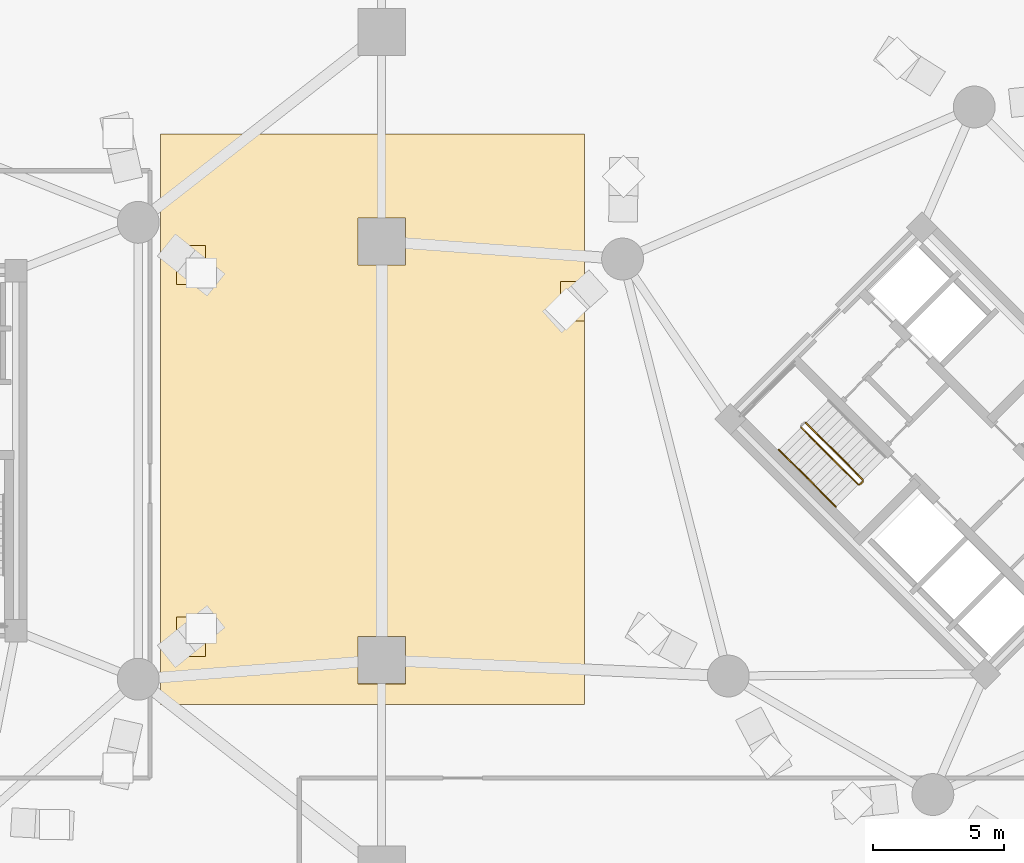
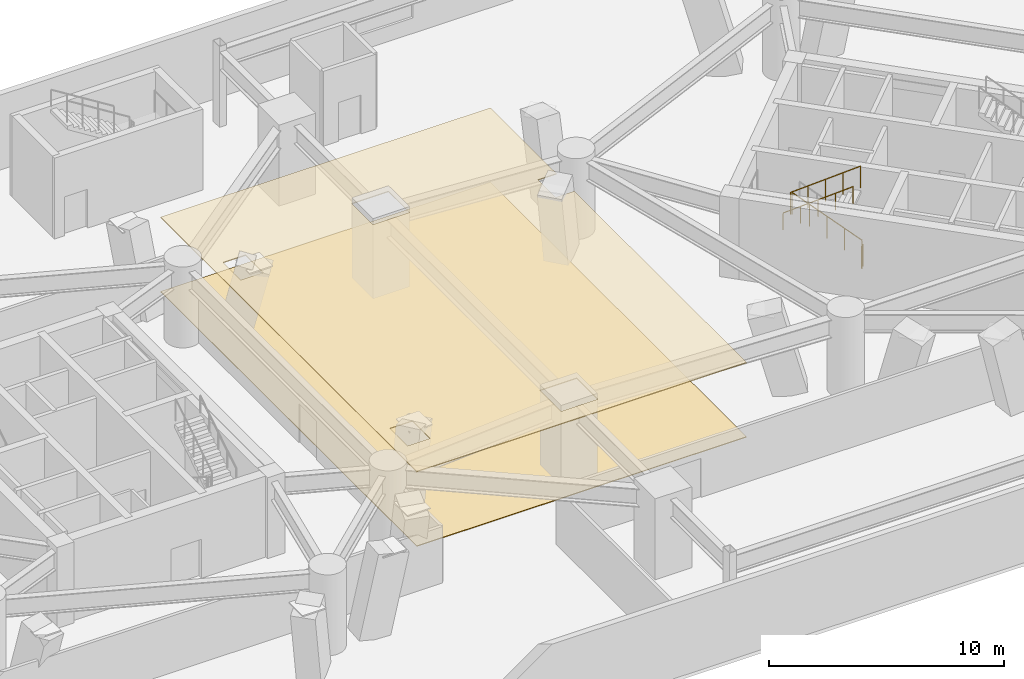
# One storey, part 17 of 20: 4 railings, 2 coverings.
"""IFC4 building model written with IfcOpenShell, lengths in metres."""

from ifc_helpers import new_model, si_unit, direction, frame, origin, origin_2d, place, context, subcontext, project, spatial, polyline, circle, outline, extrude, material, layer, layer_set, type_object, element, save


model = new_model("IFC4")

# Units and contexts
model_context = context("Model", 3, precision=1e-05, world=origin(), true_north=direction((0.0, 1.0)))
body_context = subcontext(model_context, "Body", "Model", "MODEL_VIEW")
ifc_project = project(units=[si_unit("LENGTHUNIT", "METRE"), si_unit("AREAUNIT", "SQUARE_METRE"), si_unit("VOLUMEUNIT", "CUBIC_METRE"), si_unit("PLANEANGLEUNIT", "RADIAN"), si_unit("MASSUNIT", "GRAM", prefix="KILO")], contexts=[model_context])

# Site, building, storey
site_placement = place(None, origin())
site = spatial("IfcSite", under=ifc_project, at=site_placement, CompositionType="ELEMENT")
building_placement = place(site_placement, origin())
building = spatial("IfcBuilding", under=site, at=building_placement, Name="Cununo Teusaquillo Station Towers", CompositionType="ELEMENT")
storey_placement = place(building_placement, frame((0.0, 0.0, 9.0)))
storey = spatial("IfcBuildingStorey", under=building, at=storey_placement, Name="L02", CompositionType="ELEMENT", Elevation=9.0)

# Coverings
ifc_material_1 = material(Name="Mineral-fibre acoustic suspended ceiling tile", Category="finish")
ifc_layer_1 = layer(ifc_material_1, 0.044921875)
ifc_layer_set_1 = layer_set([ifc_layer_1], Name="Mineral-fibre acoustic suspended ceiling tile")
covering_type_1 = type_object("IfcCoveringType", Name="COV-CEIL-600", PredefinedType="CEILING", material=ifc_layer_set_1)
covering_1_placement = place(storey_placement, frame((0.0, 0.0, 3.85498046875)))
element("IfcCovering", 1, at=covering_1_placement, inside=storey, type_object=covering_type_1, Name="L02 Suspended Acoustic Ceiling", PredefinedType="CEILING", context=body_context, shape_type="SweptSolid", body=[
    extrude(outline(polyline([(43.39990234375, 14.800048828125), (27.199951171875, 14.800048828125), (27.199951171875, 36.60009765625), (43.39990234375, 36.60009765625), (43.39990234375, 30.96337890625), (42.489990234375, 30.96337890625), (42.489990234375, 29.455322265625), (43.39990234375, 29.455322265625), (43.39990234375, 14.800048828125)]), holes=[polyline([(34.74609375, 15.595947265625), (36.553955078125, 15.595947265625), (36.553955078125, 17.404052734375), (34.74609375, 17.404052734375), (34.74609375, 15.595947265625)]), polyline([(27.81689453125, 16.647705078125), (28.9248046875, 16.647705078125), (28.9248046875, 18.15576171875), (27.81689453125, 18.15576171875), (27.81689453125, 16.647705078125)]), polyline([(27.81689453125, 30.84423828125), (28.9248046875, 30.84423828125), (28.9248046875, 32.352294921875), (27.81689453125, 32.352294921875), (27.81689453125, 30.84423828125)]), polyline([(34.74609375, 31.595947265625), (36.553955078125, 31.595947265625), (36.553955078125, 33.404052734375), (34.74609375, 33.404052734375), (34.74609375, 31.595947265625)])]), origin(), (0.0, 0.0, 1.0), 0.044921875),
])
ifc_material_2 = material(Name="Polished basalt-chip terrazzo floor finish", Category="masonry")
ifc_layer_2 = layer(ifc_material_2, 0.034912109375)
ifc_layer_set_2 = layer_set([ifc_layer_2], Name="Polished basalt-chip terrazzo floor finish")
covering_type_2 = type_object("IfcCoveringType", Name="COV-FLR-TERR", PredefinedType="FLOORING", material=ifc_layer_set_2)
covering_2_placement = place(storey_placement, origin())
element("IfcCovering", 2, at=covering_2_placement, inside=storey, type_object=covering_type_2, Name="L02 Polished Terrazzo Floor Finish", PredefinedType="FLOORING", context=body_context, shape_type="SweptSolid", body=[
    extrude(outline(polyline([(27.199951171875, 14.800048828125), (43.39990234375, 14.800048828125), (43.39990234375, 36.60009765625), (27.199951171875, 36.60009765625), (27.199951171875, 14.800048828125)])), origin(), (0.0, 0.0, 1.0), 0.034912109375),
])

# Railings
ifc_material_3 = material(Name="Steel EN 10025-2 S355J2", Category="steel")
railing_type_1 = type_object("IfcRailingType", Name="RL-INT-GUARD", PredefinedType="GUARDRAIL", material=ifc_material_3)
railing_1_placement = place(storey_placement, frame((54.03515625, 23.39697265625, 0.175048828125)))
element("IfcRailing", 3, at=railing_1_placement, inside=storey, type_object=railing_type_1, Name="L02 ST-T2-1 stair guard 1", PredefinedType="GUARDRAIL", context=body_context, shape_type="SweptSolid", body=[
    extrude(circle(Radius=0.02392578125, at=origin_2d()), frame((0.0, 0.0, 1.1259765625), z_axis=(-0.599609127936, 0.599609127936, 0.530035647284), x_axis=(-0.707106781187, -0.707106781187, 0.0)), (0.0, 0.0, 1.0), 3.6318359375),
    extrude(circle(Radius=0.02099609375, at=origin_2d()), origin(), (0.0, 0.0, 1.0), 1.101806640625),
    extrude(circle(Radius=0.02099609375, at=origin_2d()), frame((-0.54443359375, 0.54443359375, 0.481201171875)), (0.0, 0.0, 1.0), 1.101806640625),
    extrude(circle(Radius=0.02099609375, at=origin_2d()), frame((-1.0888671875, 1.0888671875, 0.96240234375)), (0.0, 0.0, 1.0), 1.101806640625),
    extrude(circle(Radius=0.02099609375, at=origin_2d()), frame((-1.63330078125, 1.63330078125, 1.44384765625)), (0.0, 0.0, 1.0), 1.101806640625),
    extrude(circle(Radius=0.02099609375, at=origin_2d()), frame((-2.177734375, 2.177734375, 1.925048828125)), (0.0, 0.0, 1.0), 1.101806640625),
])
railing_2_placement = place(storey_placement, frame((51.673583984375, 25.390869140625, 2.27490234375)))
element("IfcRailing", 4, at=railing_2_placement, inside=storey, type_object=railing_type_1, Name="L02 ST-T2-1 stair guard 4", PredefinedType="GUARDRAIL", context=body_context, shape_type="SweptSolid", body=[
    extrude(circle(Radius=0.02392578125, at=origin_2d()), frame((0.0, 0.0, 1.1259765625), z_axis=(0.599609127936, -0.599609127936, 0.530035647284), x_axis=(0.707106781187, 0.707106781187, 0.0)), (0.0, 0.0, 1.0), 3.6318359375),
    extrude(circle(Radius=0.02099609375, at=origin_2d()), origin(), (0.0, 0.0, 1.0), 1.101806640625),
    extrude(circle(Radius=0.02099609375, at=origin_2d()), frame((0.54443359375, -0.54443359375, 0.481201171875)), (0.0, 0.0, 1.0), 1.101806640625),
    extrude(circle(Radius=0.02099609375, at=origin_2d()), frame((1.0888671875, -1.0888671875, 0.96240234375)), (0.0, 0.0, 1.0), 1.101806640625),
    extrude(circle(Radius=0.02099609375, at=origin_2d()), frame((1.63330078125, -1.63330078125, 1.44384765625)), (0.0, 0.0, 1.0), 1.101806640625),
    extrude(circle(Radius=0.02099609375, at=origin_2d()), frame((2.177734375, -2.177734375, 1.925048828125)), (0.0, 0.0, 1.0), 1.101806640625),
])
railing_3_placement = place(storey_placement, frame((54.03515625, 23.326171875, 0.0)))
element("IfcRailing", 5, at=railing_3_placement, inside=storey, type_object=railing_type_1, Name="L02 ST-T2-1 stair guard 5", PredefinedType="GUARDRAIL", context=body_context, shape_type="SweptSolid", body=[
    extrude(circle(Radius=0.02392578125, at=origin_2d()), frame((0.0, 0.0, 1.1259765625), z_axis=(-0.707106781187, -0.707106781187, 0.0), x_axis=(0.707106781187, -0.707106781187, 0.0)), (0.0, 0.0, 1.0), 0.159912109375),
    extrude(circle(Radius=0.02099609375, at=origin_2d()), origin(), (0.0, 0.0, 1.0), 1.101806640625),
    extrude(circle(Radius=0.02099609375, at=origin_2d()), frame((-0.113037109375, -0.113037109375, 0.0)), (0.0, 0.0, 1.0), 1.101806640625),
])
ifc_material_4 = material(Name="Steel EN 10025-2 S355J2", Category="steel")
railing_type_2 = type_object("IfcRailingType", Name="RL-INT-HRAIL", PredefinedType="HANDRAIL", material=ifc_material_4)
railing_4_placement = place(storey_placement, frame((50.824951171875, 24.54248046875, 2.27490234375)))
element("IfcRailing", 6, at=railing_4_placement, inside=storey, type_object=railing_type_2, Name="L02 ST-T2-1 stair handrail 2", PredefinedType="HANDRAIL", context=body_context, shape_type="SweptSolid", body=[
    extrude(circle(Radius=0.02392578125, at=origin_2d()), frame((0.0, 0.0, 0.8759765625), z_axis=(0.599628010503, -0.599628010503, 0.529992922633), x_axis=(0.707106781187, 0.707106781187, 0.0)), (0.0, 0.0, 1.0), 3.63232421875),
    extrude(circle(Radius=0.02099609375, at=origin_2d()), origin(), (0.0, 0.0, 1.0), 0.851806640625),
    extrude(circle(Radius=0.02099609375, at=origin_2d()), frame((0.54443359375, -0.54443359375, 0.481201171875)), (0.0, 0.0, 1.0), 0.851806640625),
    extrude(circle(Radius=0.02099609375, at=origin_2d()), frame((1.0888671875, -1.0888671875, 0.96240234375)), (0.0, 0.0, 1.0), 0.851806640625),
    extrude(circle(Radius=0.02099609375, at=origin_2d()), frame((1.633544921875, -1.633544921875, 1.44384765625)), (0.0, 0.0, 1.0), 0.851806640625),
    extrude(circle(Radius=0.02099609375, at=origin_2d()), frame((2.177978515625, -2.177978515625, 1.925048828125)), (0.0, 0.0, 1.0), 0.851806640625),
])

save(model, "model.ifc")
